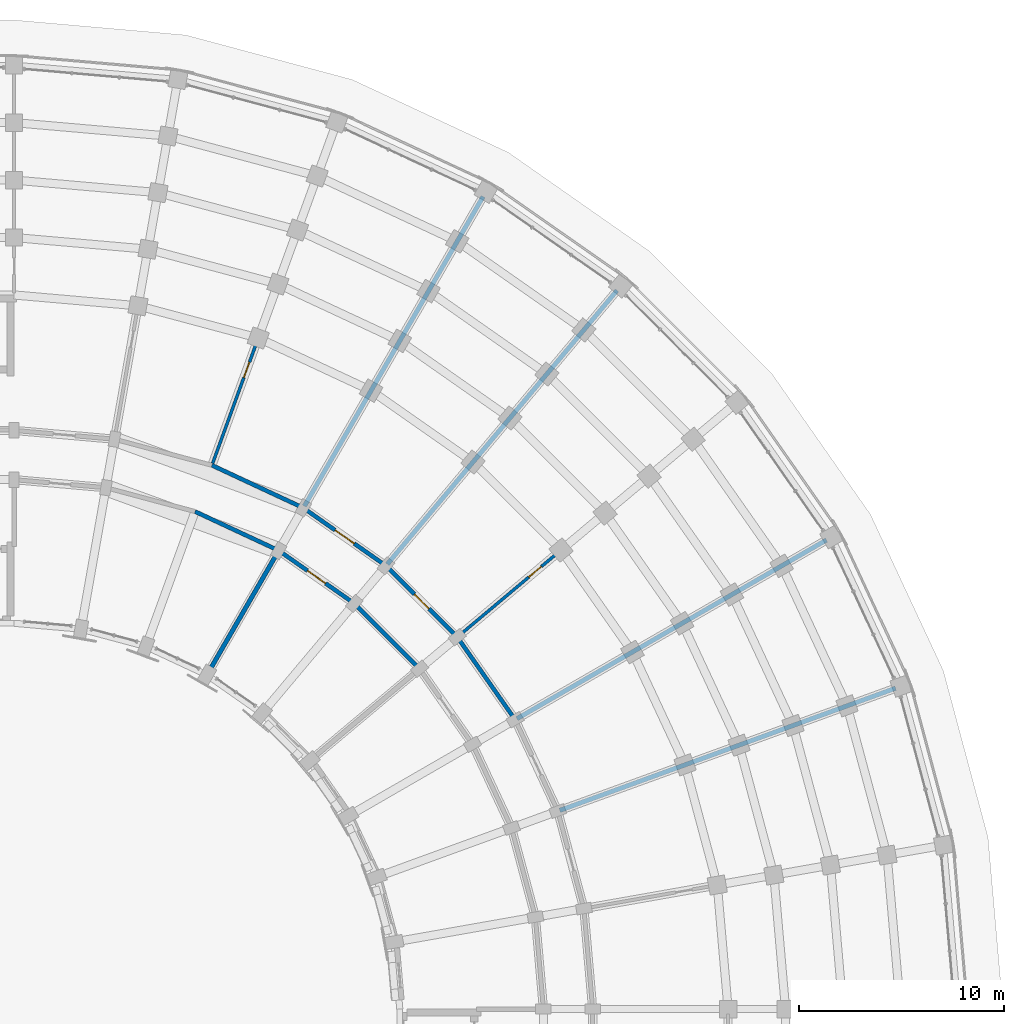
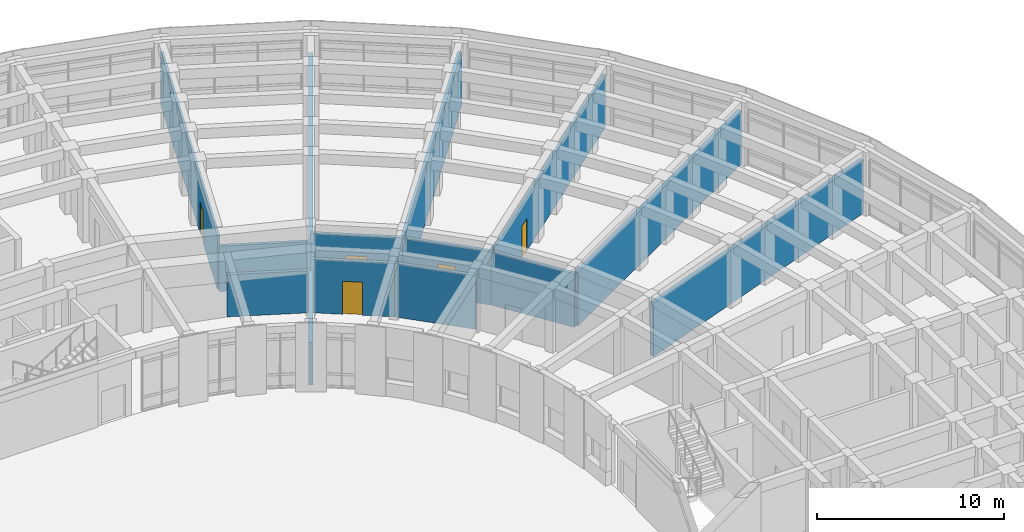
# One storey, part 110 of 135: 14 walls, 5 doors, 5 openings.
"""IFC4 building model written with IfcOpenShell, lengths in metres."""

from ifc_helpers import new_model, si_unit, direction, frame, frame_2d, origin, place, context, subcontext, project, spatial, rectangle, extrude, material, layer, layer_set, type_object, element, fill, save


model = new_model("IFC4")

# Units and contexts
model_context = context("Model", 3, precision=1e-05, world=origin(), true_north=direction((0.0, 1.0)))
body_context = subcontext(model_context, "Body", "Model", "MODEL_VIEW")
ifc_project = project(units=[si_unit("LENGTHUNIT", "METRE"), si_unit("AREAUNIT", "SQUARE_METRE"), si_unit("VOLUMEUNIT", "CUBIC_METRE"), si_unit("PLANEANGLEUNIT", "RADIAN"), si_unit("MASSUNIT", "GRAM", prefix="KILO")], contexts=[model_context])

# Site, building, storey
site_placement = place(None, origin())
site = spatial("IfcSite", under=ifc_project, at=site_placement, CompositionType="ELEMENT")
building_placement = place(site_placement, origin())
building = spatial("IfcBuilding", under=site, at=building_placement, Name="Kiranvali Square Residences", CompositionType="ELEMENT")
storey_placement = place(building_placement, origin())
storey = spatial("IfcBuildingStorey", under=building, at=storey_placement, Name="L00", CompositionType="ELEMENT", Elevation=0.0)

# Walls
ifc_material_1 = material(Name="Autoclaved aerated concrete blockwork masonry", Category="masonry")
ifc_layer_1 = layer(ifc_material_1, 0.199951171875)
ifc_layer_set_1 = layer_set([ifc_layer_1], Name="Autoclaved aerated concrete blockwork masonry")
wall_type_1 = type_object("IfcWallType", Name="WL-COR-200", PredefinedType="STANDARD", material=ifc_layer_set_1)
wall_1_placement = place(storey_placement, frame((128.6240234375, 112.044189453125, 0.0), z_axis=(0.0, 0.0, 1.0), x_axis=(0.906307919131, -0.422617978463, 0.0)))
element("IfcWall", 1, at=wall_1_placement, inside=storey, type_object=wall_type_1, Name="L00 architectural wall WL-L00-B-CCI-2", PredefinedType="STANDARD", context=body_context, shape_type="SweptSolid", body=[
    extrude(rectangle(XDim=4.497314453125, YDim=0.199951171875, at=frame_2d((2.24853515625, 0.0))), origin(), (0.0, 0.0, 1.0), 2.741943359375),
])
wall_2_placement = place(storey_placement, frame((129.445068359375, 114.29931640625, 0.0), z_axis=(0.0, 0.0, 1.0), x_axis=(0.906302381024, -0.422629854778, 0.0)))
element("IfcWall", 2, at=wall_2_placement, inside=storey, type_object=wall_type_1, Name="L00 architectural wall WL-L00-B-CCO-2", PredefinedType="STANDARD", context=body_context, shape_type="SweptSolid", body=[
    extrude(rectangle(XDim=4.915283203125, YDim=0.199951171875, at=frame_2d((2.45751953125, 0.0))), origin(), (0.0, 0.0, 1.0), 2.94189453125),
])

# Wall, opening, door
wall_3_placement = place(storey_placement, frame((132.699951171875, 110.1435546875, 0.0), z_axis=(0.0, 0.0, 1.0), x_axis=(0.819155404658, -0.573571637217, 0.0)))
wall_3 = element("IfcWall", 3, at=wall_3_placement, inside=storey, type_object=wall_type_1, Name="L00 architectural wall WL-L00-B-CCI-3", PredefinedType="STANDARD", context=body_context, shape_type="SweptSolid", body=[
    extrude(rectangle(XDim=4.497314453125, YDim=0.199951171875, at=frame_2d((2.24853515625, 0.0))), origin(), (0.0, 0.0, 1.0), 3.491943359375),
])
opening_1_placement = place(wall_3_placement, frame((1.708740234375, 0.0, 0.0)))
opening_1 = element("IfcOpeningElement", 4, at=opening_1_placement, cuts=wall_3, Name="Opening FD-APT-60C", PredefinedType="OPENING", context=body_context, shape_type="SweptSolid", body=[
    extrude(rectangle(XDim=1.080078125, YDim=2.14990234375, at=frame_2d((0.5400390625, 1.074951171875))), frame((0.0, 0.10986328125, 0.0), z_axis=(0.0, -1.0, 0.0), x_axis=(1.0, 0.0, 0.0)), (0.0, 0.0, 1.0), 0.219970703125),
])
ifc_material_2 = material(Name="Fire-rated acoustic hardwood and mineral-core door assembly", Category="wood")
door_type_1 = type_object("IfcDoorType", Name="DR-APT-1080", OperationType="NOTDEFINED", PredefinedType="DOOR", material=ifc_material_2)
door_1_placement = place(opening_1_placement, frame((1.080078125, 0.0, 0.0), z_axis=(0.0, 0.0, 1.0), x_axis=(-1.0, 0.0, 0.0)))
door_1 = element("IfcDoor", 5, at=door_1_placement, inside=storey, type_object=door_type_1, Name="L00 door DR-L00-0980 (DR-APT-1080)", OperationType="SINGLE_SWING_RIGHT", OverallHeight=2.14990234375, OverallWidth=1.080078125, PredefinedType="DOOR", context=body_context, shape_type="SweptSolid", body=[
    extrude(rectangle(XDim=1.080078125, YDim=2.14990234375, at=frame_2d((0.5400390625, 1.074951171875))), frame((0.0, 0.02490234375, 0.0), z_axis=(0.0, -1.0, 0.0), x_axis=(1.0, 0.0, 0.0)), (0.0, 0.0, 1.0), 0.050048828125),
])
fill(opening_1, door_1)

wall_4_placement = place(storey_placement, frame((133.89990234375, 112.221923828125, 0.0), z_axis=(0.0, 0.0, 1.0), x_axis=(0.819140911474, -0.573592335331, 0.0)))
wall_4 = element("IfcWall", 6, at=wall_4_placement, inside=storey, type_object=wall_type_1, Name="L00 architectural wall WL-L00-B-CCO-3", PredefinedType="STANDARD", context=body_context, shape_type="SweptSolid", body=[
    extrude(rectangle(XDim=4.915771484375, YDim=0.199951171875, at=frame_2d((2.4580078125, 0.0))), origin(), (0.0, 0.0, 1.0), 3.491943359375),
])
opening_2_placement = place(wall_4_placement, frame((1.8876953125, 0.0, 0.0)))
opening_2 = element("IfcOpeningElement", 7, at=opening_2_placement, cuts=wall_4, Name="Opening FD-APT-60D", PredefinedType="OPENING", context=body_context, shape_type="SweptSolid", body=[
    extrude(rectangle(XDim=1.139892578125, YDim=2.14990234375, at=frame_2d((0.56982421875, 1.074951171875))), frame((0.0, 0.10986328125, 0.0), z_axis=(0.0, -1.0, 0.0), x_axis=(1.0, 0.0, 0.0)), (0.0, 0.0, 1.0), 0.219970703125),
])
door_type_2 = type_object("IfcDoorType", Name="DR-APT-1140", OperationType="NOTDEFINED", PredefinedType="DOOR", material=ifc_material_2)
door_2_placement = place(opening_2_placement, origin())
door_2 = element("IfcDoor", 8, at=door_2_placement, inside=storey, type_object=door_type_2, Name="L00 door DR-L00-0975 (DR-APT-1140)", OperationType="SINGLE_SWING_LEFT", OverallHeight=2.14990234375, OverallWidth=1.139892578125, PredefinedType="DOOR", context=body_context, shape_type="SweptSolid", body=[
    extrude(rectangle(XDim=1.139892578125, YDim=2.14990234375, at=frame_2d((0.56982421875, 1.074951171875))), frame((0.0, 0.02490234375, 0.0), z_axis=(0.0, -1.0, 0.0), x_axis=(1.0, 0.0, 0.0)), (0.0, 0.0, 1.0), 0.050048828125),
])
fill(opening_2, door_2)

# Wall
wall_5_placement = place(storey_placement, frame((136.384033203125, 107.56396484375, 0.0), z_axis=(0.0, 0.0, 1.0), x_axis=(0.707106781187, -0.707106781187, 0.0)))
element("IfcWall", 9, at=wall_5_placement, inside=storey, type_object=wall_type_1, Name="L00 architectural wall WL-L00-B-CCI-4", PredefinedType="STANDARD", context=body_context, shape_type="SweptSolid", body=[
    extrude(rectangle(XDim=4.4970703125, YDim=0.199951171875, at=frame_2d((2.24853515625, 0.0))), origin(), (0.0, 0.0, 1.0), 3.491943359375),
])

# Wall, opening, door
wall_6_placement = place(storey_placement, frame((137.926513671875, 109.40234375, 0.0), z_axis=(0.0, 0.0, 1.0), x_axis=(0.707106781187, -0.707106781187, 0.0)))
wall_6 = element("IfcWall", 10, at=wall_6_placement, inside=storey, type_object=wall_type_1, Name="L00 architectural wall WL-L00-B-CCO-4", PredefinedType="STANDARD", context=body_context, shape_type="SweptSolid", body=[
    extrude(rectangle(XDim=4.91552734375, YDim=0.199951171875, at=frame_2d((2.457763671875, 0.0))), origin(), (0.0, 0.0, 1.0), 3.491943359375),
])
opening_3_placement = place(wall_6_placement, frame((1.957763671875, 0.0, 0.0)))
opening_3 = element("IfcOpeningElement", 11, at=opening_3_placement, cuts=wall_6, Name="Opening FD-APT-60", PredefinedType="OPENING", context=body_context, shape_type="SweptSolid", body=[
    extrude(rectangle(XDim=1.0, YDim=2.14990234375, at=frame_2d((0.5, 1.074951171875))), frame((0.0, 0.10986328125, 0.0), z_axis=(0.0, -1.0, 0.0), x_axis=(1.0, 0.0, 0.0)), (0.0, 0.0, 1.0), 0.219970703125),
])
door_type_3 = type_object("IfcDoorType", Name="DR-APT-1000", OperationType="NOTDEFINED", PredefinedType="DOOR", material=ifc_material_2)
door_3_placement = place(opening_3_placement, frame((1.0, 0.0, 0.0), z_axis=(0.0, 0.0, 1.0), x_axis=(-1.0, 0.0, 0.0)))
door_3 = element("IfcDoor", 12, at=door_3_placement, inside=storey, type_object=door_type_3, Name="L00 door DR-L00-0976 (DR-APT-1000)", OperationType="SINGLE_SWING_RIGHT", OverallHeight=2.14990234375, OverallWidth=1.0, PredefinedType="DOOR", context=body_context, shape_type="SweptSolid", body=[
    extrude(rectangle(XDim=1.0, YDim=2.14990234375, at=frame_2d((0.5, 1.074951171875))), frame((0.0, 0.02490234375, 0.0), z_axis=(0.0, -1.0, 0.0), x_axis=(1.0, 0.0, 0.0)), (0.0, 0.0, 1.0), 0.050048828125),
])
fill(opening_3, door_3)

# Walls
wall_7_placement = place(storey_placement, frame((141.40234375, 105.926513671875, 0.0), z_axis=(0.0, 0.0, 1.0), x_axis=(0.573592335331, -0.819140911474, 0.0)))
element("IfcWall", 13, at=wall_7_placement, inside=storey, type_object=wall_type_1, Name="L00 architectural wall WL-L00-B-CCO-5", PredefinedType="STANDARD", context=body_context, shape_type="SweptSolid", body=[
    extrude(rectangle(XDim=4.915771484375, YDim=0.199951171875, at=frame_2d((2.4580078125, 0.0))), origin(), (0.0, 0.0, 1.0), 3.491943359375),
])
ifc_layer_2 = layer(ifc_material_1, 0.219970703125)
ifc_layer_set_2 = layer_set([ifc_layer_2], Name="Autoclaved aerated concrete blockwork masonry")
wall_type_2 = type_object("IfcWallType", Name="WL-DEM-220", PredefinedType="STANDARD", material=ifc_layer_set_2)
wall_8_placement = place(storey_placement, frame((129.300048828125, 104.25439453125, 0.0), z_axis=(0.0, 0.0, 1.0), x_axis=(0.499997969693, 0.866026575979, 0.0)))
element("IfcWall", 14, at=wall_8_placement, inside=storey, type_object=wall_type_2, Name="L00 architectural wall WL-L00-B-RADI-3", PredefinedType="STANDARD", context=body_context, shape_type="SweptSolid", body=[
    extrude(rectangle(XDim=6.75, YDim=0.219970703125, at=frame_2d((3.375, 0.0))), origin(), (0.0, 0.0, 1.0), 2.741943359375),
])
ifc_layer_3 = layer(ifc_material_1, 0.22998046875)
ifc_layer_set_3 = layer_set([ifc_layer_3], Name="Autoclaved aerated concrete blockwork masonry")
wall_type_3 = type_object("IfcWallType", Name="WL-DEM-230", PredefinedType="STANDARD", material=ifc_layer_set_3)
wall_9_placement = place(storey_placement, frame((133.949951171875, 112.30859375, 0.0), z_axis=(0.0, 0.0, 1.0), x_axis=(0.499997843263, 0.866026648973, 0.0)))
element("IfcWall", 15, at=wall_9_placement, inside=storey, type_object=wall_type_3, Name="L00 architectural wall WL-L00-B-RADO-3", PredefinedType="STANDARD", context=body_context, shape_type="SweptSolid", body=[
    extrude(rectangle(XDim=17.419921875, YDim=0.22998046875, at=frame_2d((8.7099609375, 0.0))), origin(), (0.0, 0.0, 1.0), 2.94189453125),
])
for number, where, z_axis, x_axis, name in (
    (16, (137.990966796875, 109.47900390625, 0.0), (0.0, 0.0, 1.0), (0.642784757967, 0.766046835987, 0.0), "L00 architectural wall WL-L00-B-RADO-4"),
    (17, (144.30859375, 101.949951171875, 0.0), (0.0, 0.0, 1.0), (0.866026648973, 0.499997843263, 0.0), "L00 architectural wall WL-L00-B-RADO-6"),
    (18, (146.393310546875, 97.479248046875, 0.0), (0.0, 0.0, 1.0), (0.939691901159, 0.342022120477, 0.0), "L00 architectural wall WL-L00-B-RADO-7"),
):
    element("IfcWall", number, at=place(storey_placement, frame(where, z_axis=z_axis, x_axis=x_axis)), inside=storey, type_object=wall_type_3, Name=name, PredefinedType="STANDARD", context=body_context, shape_type="SweptSolid", body=[
        extrude(rectangle(XDim=17.419921875, YDim=0.22998046875, at=frame_2d((8.7099609375, 0.0))), origin(), (0.0, 0.0, 1.0), 3.491943359375),
    ])

# Wall, opening, door
ifc_material_3 = material(Name="Acoustic gypsum board drylined partition", Category="gypsum")
ifc_layer_4 = layer(ifc_material_3, 0.14990234375)
ifc_layer_set_4 = layer_set([ifc_layer_4], Name="Acoustic gypsum board drylined partition")
wall_type_4 = type_object("IfcWallType", Name="WL-PRT-150", PredefinedType="PARTITIONING", material=ifc_layer_set_4)
wall_10_placement = place(storey_placement, frame((129.479248046875, 114.393310546875, 0.0), z_axis=(0.0, 0.0, 1.0), x_axis=(0.342022120477, 0.939691901159, 0.0)))
wall_10 = element("IfcWall", 19, at=wall_10_placement, inside=storey, type_object=wall_type_4, Name="L00 architectural wall WL-L00-B-RADO-2", PredefinedType="PARTITIONING", context=body_context, shape_type="SweptSolid", body=[
    extrude(rectangle(XDim=17.419921875, YDim=0.14990234375, at=frame_2d((8.7099609375, 0.0))), origin(), (0.0, 0.0, 1.0), 3.491943359375),
])
opening_4_placement = place(wall_10_placement, frame((4.44970703125, 0.0, 0.0)))
opening_4 = element("IfcOpeningElement", 20, at=opening_4_placement, cuts=wall_10, Name="Opening ID-WET", PredefinedType="OPENING", context=body_context, shape_type="SweptSolid", body=[
    extrude(rectangle(XDim=0.800048828125, YDim=2.10009765625, at=frame_2d((0.39990234375, 1.050048828125))), frame((0.0, 0.0849609375, 0.0), z_axis=(0.0, -1.0, 0.0), x_axis=(1.0, 0.0, 0.0)), (0.0, 0.0, 1.0), 0.169921875),
])
ifc_material_4 = material(Name="Solid seasoned teak hardwood joinery", Category="wood")
door_type_4 = type_object("IfcDoorType", Name="DR-WET-800", OperationType="NOTDEFINED", PredefinedType="DOOR", material=ifc_material_4)
door_4_placement = place(opening_4_placement, origin())
door_4 = element("IfcDoor", 21, at=door_4_placement, inside=storey, type_object=door_type_4, Name="L00 door DR-L00-0971 (DR-WET-800)", OperationType="SINGLE_SWING_LEFT", OverallHeight=2.10009765625, OverallWidth=0.800048828125, PredefinedType="DOOR", context=body_context, shape_type="SweptSolid", body=[
    extrude(rectangle(XDim=0.800048828125, YDim=2.10009765625, at=frame_2d((0.39990234375, 1.050048828125))), frame((0.0, 0.02490234375, 0.0), z_axis=(0.0, -1.0, 0.0), x_axis=(1.0, 0.0, 0.0)), (0.0, 0.0, 1.0), 0.050048828125),
])
fill(opening_4, door_4)

wall_11_placement = place(storey_placement, frame((141.47900390625, 105.990966796875, 0.0), z_axis=(0.0, 0.0, 1.0), x_axis=(0.766046835987, 0.642784757967, 0.0)))
wall_11 = element("IfcWall", 22, at=wall_11_placement, inside=storey, type_object=wall_type_4, Name="L00 architectural wall WL-L00-B-RADO-5", PredefinedType="PARTITIONING", context=body_context, shape_type="SweptSolid", body=[
    extrude(rectangle(XDim=17.419921875, YDim=0.14990234375, at=frame_2d((8.7099609375, 0.0))), origin(), (0.0, 0.0, 1.0), 3.491943359375),
])
opening_5_placement = place(wall_11_placement, frame((4.44970703125, 0.0, 0.0)))
opening_5 = element("IfcOpeningElement", 23, at=opening_5_placement, cuts=wall_11, Name="Opening ID-WET", PredefinedType="OPENING", context=body_context, shape_type="SweptSolid", body=[
    extrude(rectangle(XDim=0.800048828125, YDim=2.10009765625, at=frame_2d((0.39990234375, 1.050048828125))), frame((0.0, 0.0849609375, 0.0), z_axis=(0.0, -1.0, 0.0), x_axis=(1.0, 0.0, 0.0)), (0.0, 0.0, 1.0), 0.169921875),
])
door_5_placement = place(opening_5_placement, frame((0.800048828125, 0.0, 0.0), z_axis=(0.0, 0.0, 1.0), x_axis=(-1.0, 0.0, 0.0)))
door_5 = element("IfcDoor", 24, at=door_5_placement, inside=storey, type_object=door_type_4, Name="L00 door DR-L00-0972 (DR-WET-800)", OperationType="SINGLE_SWING_RIGHT", OverallHeight=2.10009765625, OverallWidth=0.800048828125, PredefinedType="DOOR", context=body_context, shape_type="SweptSolid", body=[
    extrude(rectangle(XDim=0.800048828125, YDim=2.10009765625, at=frame_2d((0.39990234375, 1.050048828125))), frame((0.0, 0.02490234375, 0.0), z_axis=(0.0, -1.0, 0.0), x_axis=(1.0, 0.0, 0.0)), (0.0, 0.0, 1.0), 0.050048828125),
])
fill(opening_5, door_5)

save(model, "model.ifc")
